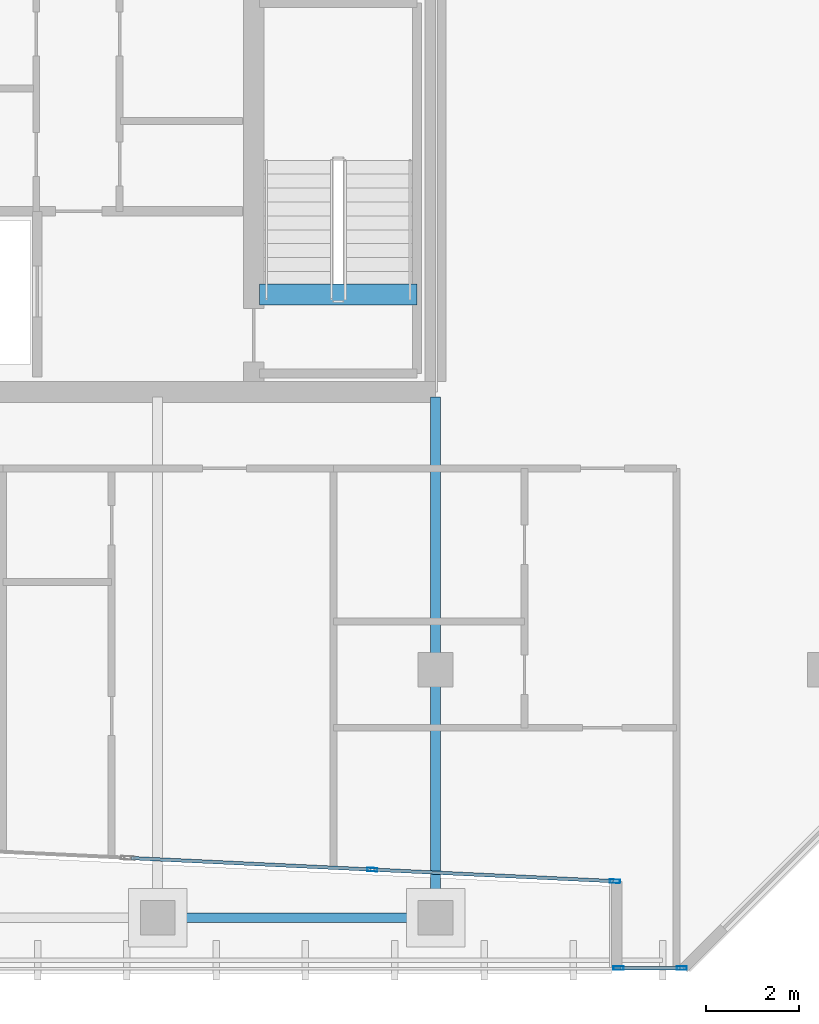
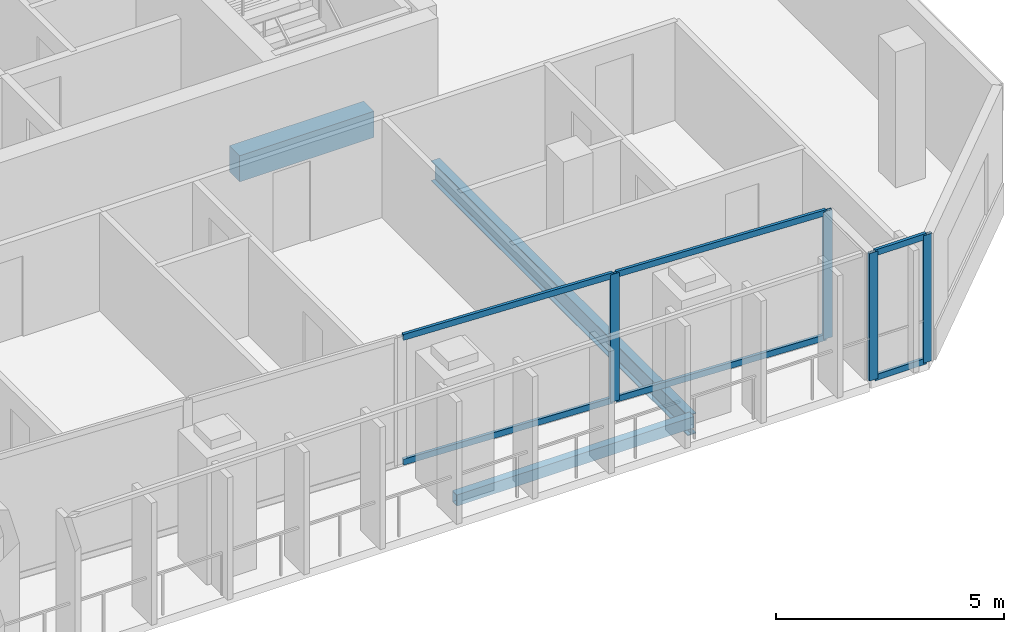
# One storey, part 16 of 31: 10 members, 3 beams, 2 elements without a shape of their own.
"""IFC4 building model written with IfcOpenShell, lengths in metres."""

from ifc_helpers import new_model, si_unit, direction, frame, origin, origin_2d, place, context, subcontext, project, spatial, rectangle, hollow_rectangle, i_section, extrude, material, layer, layer_set, material_profile, profile_set, type_object, element, aggregate, save


model = new_model("IFC4")

# Units and contexts
model_context = context("Model", 3, precision=1e-05, world=origin(), true_north=direction((0.0, 1.0)))
body_context = subcontext(model_context, "Body", "Model", "MODEL_VIEW")
ifc_project = project(units=[si_unit("LENGTHUNIT", "METRE"), si_unit("AREAUNIT", "SQUARE_METRE"), si_unit("VOLUMEUNIT", "CUBIC_METRE"), si_unit("PLANEANGLEUNIT", "RADIAN"), si_unit("MASSUNIT", "GRAM", prefix="KILO")], contexts=[model_context])

# Site, building, storey
site_placement = place(None, origin())
site = spatial("IfcSite", under=ifc_project, at=site_placement, CompositionType="ELEMENT")
building_placement = place(site_placement, origin())
building = spatial("IfcBuilding", under=site, at=building_placement, Name="Tanjung Sevakor Pilgrim Tower", CompositionType="ELEMENT")
storey_placement = place(building_placement, frame((0.0, 0.0, 208.22998046875)))
storey = spatial("IfcBuildingStorey", under=building, at=storey_placement, Name="L58", CompositionType="ELEMENT", Elevation=208.22998046875)

# Beams
ifc_material_1 = material(Name="Steel S355J2", Category="steel")
ifc_material_profile_1 = material_profile(ifc_material_1, i_section(OverallWidth=0.2119140625, OverallDepth=0.54443359375, WebThickness=0.0126953125, FlangeThickness=0.021240234375, FilletRadius=0.0126953125, at=origin_2d()))
ifc_profile_set_1 = profile_set([ifc_material_profile_1], Name="Steel S355J2")
beam_type_1 = type_object("IfcBeamType", Name="BM-B-G5-UB_533x210x122", PredefinedType="BEAM", material=ifc_profile_set_1)
beam_1_placement = place(storey_placement, frame((90.0, 13.25, -0.4921875), z_axis=(0.0, 1.0, 0.0), x_axis=(-1.0, 0.0, 0.0)))
element("IfcBeam", 1, at=beam_1_placement, inside=storey, type_object=beam_type_1, Name="L58 MAIN Girder 025", PredefinedType="BEAM", context=body_context, shape_type="SweptSolid", body=[
    extrude(i_section(OverallWidth=0.2119140625, OverallDepth=0.54443359375, WebThickness=0.0126953125, FlangeThickness=0.021240234375, FilletRadius=0.0126953125, at=origin_2d()), origin(), (0.0, 0.0, 1.0), 11.235595703125),
])
ifc_material_2 = material(Name="Concrete C60/75", Category="concrete")
ifc_material_profile_2 = material_profile(ifc_material_2, rectangle(XDim=0.449951171875, YDim=0.699951171875, at=origin_2d()))
ifc_profile_set_2 = profile_set([ifc_material_profile_2], Name="Concrete C60/75")
beam_type_2 = type_object("IfcBeamType", Name="BM-B-LN3-RC-BM_450x700", PredefinedType="LINTEL", material=ifc_profile_set_2)
beam_2_placement = place(storey_placement, frame((86.199951171875, 26.699951171875, -0.35009765625), z_axis=(1.0, 0.0, 0.0), x_axis=(0.0, 1.0, 0.0)))
element("IfcBeam", 2, at=beam_2_placement, inside=storey, type_object=beam_type_2, Name="L58 TS-E1 Stair Threshold Beam", PredefinedType="LINTEL", context=body_context, shape_type="SweptSolid", body=[
    extrude(rectangle(XDim=0.449951171875, YDim=0.699951171875, at=origin_2d()), origin(), (0.0, 0.0, 1.0), 3.400146484375),
])
ifc_material_3 = material(Name="Steel S355J2", Category="steel")
ifc_material_profile_3 = material_profile(ifc_material_3, hollow_rectangle(XDim=0.199951171875, YDim=0.300048828125, WallThickness=0.012451171875, at=origin_2d()))
ifc_profile_set_3 = profile_set([ifc_material_profile_3], Name="Steel S355J2")
beam_type_3 = type_object("IfcBeamType", Name="BM-B-SP3-RHS_300x200x12.5", PredefinedType="SPANDREL", material=ifc_profile_set_3)
beam_3_placement = place(storey_placement, frame((84.0, 13.25, -0.369873046875), z_axis=(1.0, 0.0, 0.0), x_axis=(0.0, 1.0, 0.0)))
element("IfcBeam", 3, at=beam_3_placement, inside=storey, type_object=beam_type_3, Name="L58 Spandrel MAIN S-15", PredefinedType="SPANDREL", context=body_context, shape_type="SweptSolid", body=[
    extrude(hollow_rectangle(XDim=0.199951171875, YDim=0.300048828125, WallThickness=0.012451171875, at=origin_2d()), origin(), (0.0, 0.0, 1.0), 6.0),
])

# Curtain wall, members
ifc_material_4 = material(Name="Aluminium 6063-T6 and Low-E Glass", Category="aluminium")
ifc_layer = layer(ifc_material_4, 0.199951171875)
ifc_layer_set = layer_set([ifc_layer], Name="CW-SYS-PRAY")
curtain_wall_type = type_object("IfcCurtainWallType", Name="CW-SYS-PRAY", PredefinedType="NOTDEFINED", material=ifc_layer_set)
curtain_wall_1_placement = place(storey_placement, origin())
curtain_wall_1 = element("IfcCurtainWall", 4, at=curtain_wall_1_placement, inside=storey, type_object=curtain_wall_type, Name="L58 Curtain Wall CW-PRY-L58-12", PredefinedType="NOTDEFINED")
ifc_material_5 = material(Name="Aluminium 6063-T6", Category="aluminium")
ifc_material_profile_4 = material_profile(ifc_material_5, hollow_rectangle(XDim=0.074951171875, YDim=0.219970703125, WallThickness=0.0048828125, at=origin_2d()))
ifc_profile_set_4 = profile_set([ifc_material_profile_4], Name="Aluminium 6063-T6")
member_type_1 = type_object("IfcMemberType", Name="TYPE-CWM-2", PredefinedType="MULLION", material=ifc_profile_set_4)
member_1_placement = place(storey_placement, frame((88.632568359375, 14.287353515625, 0.0), z_axis=(0.0, 0.0, 1.0), x_axis=(0.047791311738, 0.998857342428, 0.0)))
member_1 = element("IfcMember", 5, at=member_1_placement, type_object=member_type_1, Name="CW-PRY mullion 2", PredefinedType="MULLION", context=body_context, shape_type="SweptSolid", body=[
    extrude(hollow_rectangle(XDim=0.074951171875, YDim=0.219970703125, WallThickness=0.0048828125, at=origin_2d()), origin(), (0.0, 0.0, 1.0), 3.409912109375),
])
member_2_placement = place(storey_placement, frame((93.87255859375, 14.03662109375, 0.0), z_axis=(0.0, 0.0, 1.0), x_axis=(0.047791311738, 0.998857342428, 0.0)))
member_2 = element("IfcMember", 6, at=member_2_placement, type_object=member_type_1, Name="CW-PRY mullion 3", PredefinedType="MULLION", context=body_context, shape_type="SweptSolid", body=[
    extrude(hollow_rectangle(XDim=0.074951171875, YDim=0.219970703125, WallThickness=0.0048828125, at=origin_2d()), origin(), (0.0, 0.0, 1.0), 3.409912109375),
])

curtain_wall_2_placement = place(storey_placement, origin())
curtain_wall_2 = element("IfcCurtainWall", 7, at=curtain_wall_2_placement, inside=storey, type_object=curtain_wall_type, Name="L58 Curtain Wall CW-PRY-L58-14", PredefinedType="NOTDEFINED")
member_3_placement = place(storey_placement, frame((93.947509765625, 12.159912109375, 0.0), z_axis=(0.0, 0.0, 1.0), x_axis=(0.0, 1.0, 0.0)))
member_3 = element("IfcMember", 8, at=member_3_placement, type_object=member_type_1, Name="CW-PRY mullion 1", PredefinedType="MULLION", context=body_context, shape_type="SweptSolid", body=[
    extrude(hollow_rectangle(XDim=0.074951171875, YDim=0.219970703125, WallThickness=0.0048828125, at=origin_2d()), origin(), (0.0, 0.0, 1.0), 3.409912109375),
])
member_4_placement = place(storey_placement, frame((95.31689453125, 12.159912109375, 0.0), z_axis=(0.0, 0.0, 1.0), x_axis=(0.0, 1.0, 0.0)))
member_4 = element("IfcMember", 9, at=member_4_placement, type_object=member_type_1, Name="CW-PRY mullion 2", PredefinedType="MULLION", context=body_context, shape_type="SweptSolid", body=[
    extrude(hollow_rectangle(XDim=0.074951171875, YDim=0.219970703125, WallThickness=0.0048828125, at=origin_2d()), origin(), (0.0, 0.0, 1.0), 3.409912109375),
])

# Member
ifc_material_6 = material(Name="Aluminium 6063-T6", Category="aluminium")
ifc_material_profile_5 = material_profile(ifc_material_6, hollow_rectangle(XDim=0.074951171875, YDim=0.159912109375, WallThickness=0.00439453125, at=origin_2d()))
ifc_profile_set_5 = profile_set([ifc_material_profile_5], Name="Aluminium 6063-T6")
member_type_2 = type_object("IfcMemberType", Name="TYPE-CWT-2", PredefinedType="USERDEFINED", material=ifc_profile_set_5)
member_5_placement = place(storey_placement, frame((83.43017578125, 14.536376953125, 0.03759765625), z_axis=(0.998857859902, -0.047780495095, 0.0), x_axis=(0.047780495095, 0.998857859902, 0.0)))
member_5 = element("IfcMember", 10, at=member_5_placement, type_object=member_type_2, Name="CW-PRY transom 1.1", ObjectType="TRANSOM", PredefinedType="USERDEFINED", context=body_context, shape_type="SweptSolid", body=[
    extrude(hollow_rectangle(XDim=0.074951171875, YDim=0.159912109375, WallThickness=0.00439453125, at=origin_2d()), origin(), (0.0, 0.0, 1.0), 5.1708984375),
])

member_6_placement = place(storey_placement, frame((83.43017578125, 14.536376953125, 3.37255859375), z_axis=(0.998857859902, -0.047780495095, 0.0), x_axis=(0.047780495095, 0.998857859902, 0.0)))
member_6 = element("IfcMember", 11, at=member_6_placement, type_object=member_type_2, Name="CW-PRY transom 1.2", ObjectType="TRANSOM", PredefinedType="USERDEFINED", context=body_context, shape_type="SweptSolid", body=[
    extrude(hollow_rectangle(XDim=0.074951171875, YDim=0.159912109375, WallThickness=0.00439453125, at=origin_2d()), origin(), (0.0, 0.0, 1.0), 5.1708984375),
])

member_7_placement = place(storey_placement, frame((88.670166015625, 14.28564453125, 0.03759765625), z_axis=(0.998857859902, -0.047780495095, 0.0), x_axis=(0.047780495095, 0.998857859902, 0.0)))
member_7 = element("IfcMember", 12, at=member_7_placement, type_object=member_type_2, Name="CW-PRY transom 2.1", ObjectType="TRANSOM", PredefinedType="USERDEFINED", context=body_context, shape_type="SweptSolid", body=[
    extrude(hollow_rectangle(XDim=0.074951171875, YDim=0.159912109375, WallThickness=0.00439453125, at=origin_2d()), origin(), (0.0, 0.0, 1.0), 5.1708984375),
])

member_8_placement = place(storey_placement, frame((88.670166015625, 14.28564453125, 3.37255859375), z_axis=(0.998857859902, -0.047780495095, 0.0), x_axis=(0.047780495095, 0.998857859902, 0.0)))
member_8 = element("IfcMember", 13, at=member_8_placement, type_object=member_type_2, Name="CW-PRY transom 2.2", ObjectType="TRANSOM", PredefinedType="USERDEFINED", context=body_context, shape_type="SweptSolid", body=[
    extrude(hollow_rectangle(XDim=0.074951171875, YDim=0.159912109375, WallThickness=0.00439453125, at=origin_2d()), origin(), (0.0, 0.0, 1.0), 5.1708984375),
])

aggregate(curtain_wall_1, [member_1, member_2, member_5, member_6, member_7, member_8])

member_9_placement = place(storey_placement, frame((93.985107421875, 12.159912109375, 0.03759765625), z_axis=(1.0, 0.0, 0.0), x_axis=(0.0, 1.0, 0.0)))
member_9 = element("IfcMember", 14, at=member_9_placement, type_object=member_type_2, Name="CW-PRY transom 1.1", ObjectType="TRANSOM", PredefinedType="USERDEFINED", context=body_context, shape_type="SweptSolid", body=[
    extrude(hollow_rectangle(XDim=0.074951171875, YDim=0.159912109375, WallThickness=0.00439453125, at=origin_2d()), origin(), (0.0, 0.0, 1.0), 1.294189453125),
])

member_10_placement = place(storey_placement, frame((93.985107421875, 12.159912109375, 3.37255859375), z_axis=(1.0, 0.0, 0.0), x_axis=(0.0, 1.0, 0.0)))
member_10 = element("IfcMember", 15, at=member_10_placement, type_object=member_type_2, Name="CW-PRY transom 1.2", ObjectType="TRANSOM", PredefinedType="USERDEFINED", context=body_context, shape_type="SweptSolid", body=[
    extrude(hollow_rectangle(XDim=0.074951171875, YDim=0.159912109375, WallThickness=0.00439453125, at=origin_2d()), origin(), (0.0, 0.0, 1.0), 1.294189453125),
])

aggregate(curtain_wall_2, [member_3, member_4, member_9, member_10])

save(model, "model.ifc")
